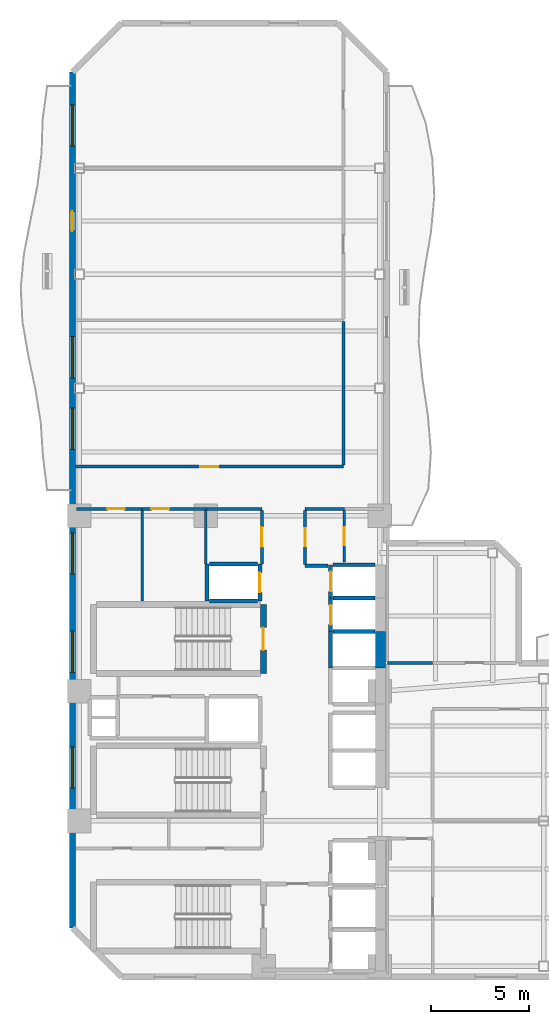
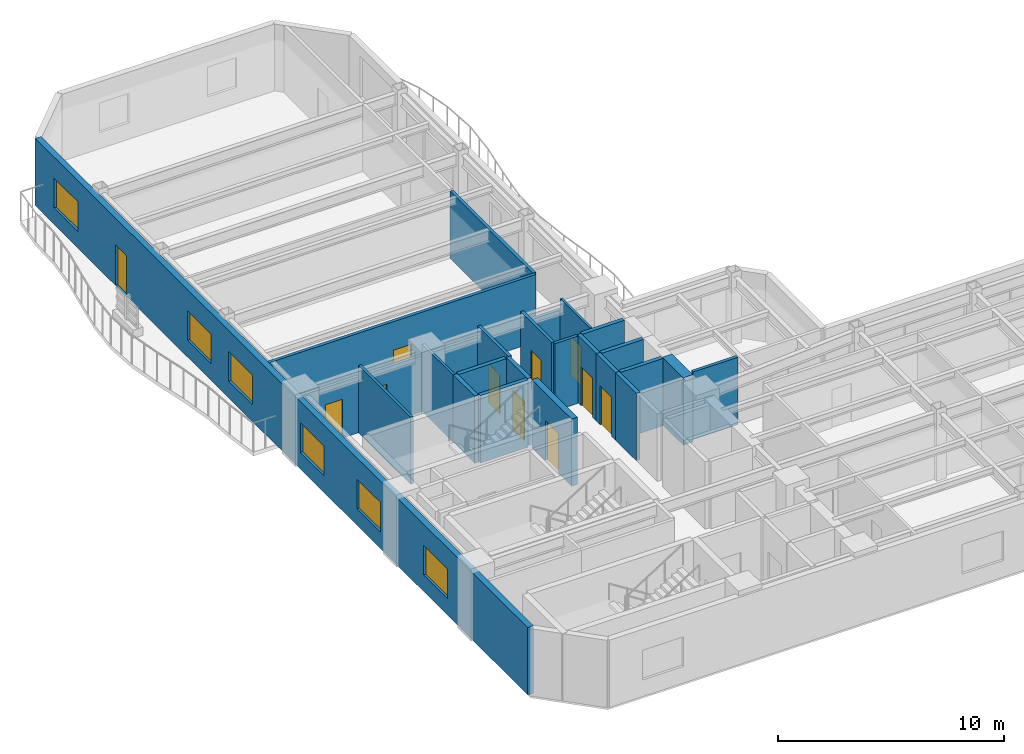
# One storey, part 4 of 9: 26 walls, 11 doors, 6 windows, 17 openings.
"""IFC4 building model written with IfcOpenShell, lengths in metres."""

import ifcopenshell
import ifcopenshell.guid

model = None  # the IFC model being written
_history = None  # IfcOwnerHistory: only IFC2X3 demands one
_inside = {}  # id of a spatial element -> (the spatial element, [elements in it])
_under = {}  # id of a project, library or spatial element -> (it, [spatial elements below it])
_declared = {}  # id of a project -> (the project, [libraries it declares])
_typed = {}  # id of a type object -> (the type object, [elements of that type])
_made_of = {}  # id of a material, layer set ... -> (it, [elements and type objects made of it])


def new_model(schema):
    """Start an empty IFC model of exactly this schema.

    Asked for "IFC4X3", IfcOpenShell would pick the latest addendum, in which some entities
    have other attributes; the version numbers below select the first issue.
    IFC2X3 requires an IfcOwnerHistory on every rooted entity: one is made here for all.
    """
    global model, _history
    if schema == "IFC4X3":
        model = ifcopenshell.file(schema_version=(4, 3, 0, 0))
    else:
        model = ifcopenshell.file(schema=schema)
    _inside.clear()
    _under.clear()
    _declared.clear()
    _typed.clear()
    _made_of.clear()
    _history = None
    if model.schema == "IFC2X3":
        org = make("IfcOrganization", Name="unknown")
        user = make(
            "IfcPersonAndOrganization",
            ThePerson=make("IfcPerson", FamilyName="unknown"),
            TheOrganization=org,
        )
        app = make(
            "IfcApplication",
            ApplicationDeveloper=org,
            Version="unknown",
            ApplicationFullName="unknown",
            ApplicationIdentifier="unknown",
        )
        _history = make(
            "IfcOwnerHistory",
            OwningUser=user,
            OwningApplication=app,
            ChangeAction="ADDED",
            CreationDate=0,
        )
    return model


def make(cls, **values):
    """One entity of the class cls with the attributes given. An attribute that is None is left unset."""
    return model.create_entity(
        cls, **{name: value for name, value in values.items() if value is not None}
    )


def rooted(cls, **values):
    """An entity with a GlobalId (a new one), such as an element, a storey or a relation."""
    return make(cls, GlobalId=ifcopenshell.guid.new(), OwnerHistory=_history, **values)


def si_unit(unit_type, name, prefix=None):
    """IfcSIUnit, for example si_unit("LENGTHUNIT", "METRE", prefix="MILLI")."""
    return make("IfcSIUnit", UnitType=unit_type, Prefix=prefix, Name=name)


def assignment(units):
    """IfcUnitAssignment: the units of a project."""
    return None if units is None else make("IfcUnitAssignment", Units=units)


def point(xyz):
    """IfcCartesianPoint."""
    return None if xyz is None else make("IfcCartesianPoint", Coordinates=xyz)


def direction(xyz):
    """IfcDirection."""
    return None if xyz is None else make("IfcDirection", DirectionRatios=xyz)


def frame(location, z_axis=None, x_axis=None):
    """IfcAxis2Placement3D, a coordinate frame: its origin and axes. An axis left out is left unset."""
    return make(
        "IfcAxis2Placement3D",
        Location=point(location),
        Axis=direction(z_axis),
        RefDirection=direction(x_axis),
    )


def frame_2d(location, x_axis=None):
    """IfcAxis2Placement2D, a coordinate frame in the plane: its origin and x axis."""
    return make(
        "IfcAxis2Placement2D", Location=point(location), RefDirection=direction(x_axis)
    )


def origin():
    """The frame at (0, 0, 0) with its axes left unset."""
    return frame((0.0, 0.0, 0.0))


def place(relative_to, where):
    """IfcLocalPlacement: puts the frame where relative to a parent placement (None: the world)."""
    return make(
        "IfcLocalPlacement", PlacementRelTo=relative_to, RelativePlacement=where
    )


def context(
    kind, dimensions, precision=None, world=None, true_north=None, identifier=None
):
    """IfcGeometricRepresentationContext, for example the 3D "Model" context."""
    return make(
        "IfcGeometricRepresentationContext",
        ContextIdentifier=identifier,
        ContextType=kind,
        CoordinateSpaceDimension=dimensions,
        Precision=precision,
        WorldCoordinateSystem=world,
        TrueNorth=true_north,
    )


def subcontext(parent, identifier, kind, view, scale=None):
    """IfcGeometricRepresentationSubContext, for example "Body" below "Model"."""
    return make(
        "IfcGeometricRepresentationSubContext",
        ContextIdentifier=identifier,
        ContextType=kind,
        ParentContext=parent,
        TargetScale=scale,
        TargetView=view,
    )


def project(units=None, contexts=None):
    """IfcProject with its units and contexts."""
    return rooted(
        "IfcProject",
        Name="project",
        RepresentationContexts=contexts,
        UnitsInContext=assignment(units),
    )


def spatial(cls, under=None, at=None, **own):
    """A site, building, storey or space (cls), placed at a placement, below another one or the project."""
    s = rooted(cls, ObjectPlacement=at, **own)
    if under is not None:
        _under.setdefault(under.id(), (under, []))[1].append(s)
    return s


def profile(cls, at=None, kind="AREA", **sizes):
    """A parametric profile (cls). Its sizes go by their IFC names, for example OverallWidth=200.0."""
    return make(cls, ProfileType=kind, Position=at, **sizes)


def rectangle(**sizes):
    """IfcRectangleProfileDef."""
    return profile("IfcRectangleProfileDef", **sizes)


def extrude(swept, where, along, depth):
    """IfcExtrudedAreaSolid: the profile swept, set in the frame where, extruded along a direction by depth."""
    return make(
        "IfcExtrudedAreaSolid",
        SweptArea=swept,
        Position=where,
        ExtrudedDirection=direction(along),
        Depth=depth,
    )


def shape(context_of_items, identifier, shape_type, items):
    """IfcShapeRepresentation: the items that make up one representation, for example the "Body"."""
    return make(
        "IfcShapeRepresentation",
        ContextOfItems=context_of_items,
        RepresentationIdentifier=identifier,
        RepresentationType=shape_type,
        Items=items,
    )


def material(Name=None, Category=None):
    """IfcMaterial."""
    return make("IfcMaterial", Name=Name, Category=Category)


def layer(
    of_material, thickness, ventilated=None, Name=None, Category=None, Priority=None
):
    """IfcMaterialLayer: one layer of a wall or slab, of a material (None: an air gap)."""
    return make(
        "IfcMaterialLayer",
        Material=of_material,
        LayerThickness=thickness,
        IsVentilated=ventilated,
        Name=Name,
        Category=Category,
        Priority=Priority,
    )


def layer_set(layers, Name=None):
    """IfcMaterialLayerSet."""
    return make("IfcMaterialLayerSet", MaterialLayers=layers, LayerSetName=Name)


def made_of(thing, what):
    """Note that an element or type object is made of a material, layer set ...; save() writes the relation."""
    if what is not None:
        _made_of.setdefault(what.id(), (what, []))[1].append(thing)
    return thing


def type_object(cls, material=None, **own):
    """A type object (cls), such as IfcWallType, which elements share."""
    return made_of(rooted(cls, **own), material)


def element(
    cls,
    number,
    at=None,
    inside=None,
    cuts=None,
    type_object=None,
    material=None,
    context=None,
    identifier="Body",
    shape_type=None,
    held_by="IfcProductDefinitionShape",
    body=None,
    shapes=None,
    **own,
):
    """One element of the class cls, such as IfcWall. Its Tag is "e" and its number.

    at: its placement. inside: the storey or other place that contains it. cuts: it is an
    opening in that element (IfcRelVoidsElement). A single representation is given by context,
    identifier, shape_type and body (its items); several are given by shapes. held_by: the class
    of the entity that holds the representations. save() writes the other relations.
    """
    e = rooted(cls, Tag="e%d" % number, ObjectPlacement=at, **own)
    if body is not None:
        shapes = [shape(context, identifier, shape_type, body)]
    if shapes is not None:
        e.Representation = make(held_by, Representations=shapes)
    if inside is not None:
        _inside.setdefault(inside.id(), (inside, []))[1].append(e)
    if cuts is not None:
        rooted(
            "IfcRelVoidsElement", RelatingBuildingElement=cuts, RelatedOpeningElement=e
        )
    if type_object is not None:
        _typed.setdefault(type_object.id(), (type_object, []))[1].append(e)
    return made_of(e, material)


def fill(opening, filler):
    """IfcRelFillsElement: the door or window that sits in an opening."""
    return rooted(
        "IfcRelFillsElement",
        RelatingOpeningElement=opening,
        RelatedBuildingElement=filler,
    )


def aggregate(whole, parts):
    """IfcRelAggregates: a whole, such as a stair, and the parts it consists of."""
    return rooted("IfcRelAggregates", RelatingObject=whole, RelatedObjects=parts)


def save(model, path):
    """Write the relations noted so far, then the file.

    IfcRelAggregates (storeys below a building ...), IfcRelContainedInSpatialStructure (elements
    in a storey), IfcRelDefinesByType, IfcRelAssociatesMaterial and IfcRelDeclares: one each for
    every whole, place, type object, material and project.
    """
    for whole, parts in _under.values():
        aggregate(whole, parts)
    for where, things in _inside.values():
        rooted(
            "IfcRelContainedInSpatialStructure",
            RelatedElements=things,
            RelatingStructure=where,
        )
    for kind, things in _typed.values():
        rooted("IfcRelDefinesByType", RelatedObjects=things, RelatingType=kind)
    for what, things in _made_of.values():
        rooted("IfcRelAssociatesMaterial", RelatedObjects=things, RelatingMaterial=what)
    for by, libraries in _declared.values():
        rooted("IfcRelDeclares", RelatingContext=by, RelatedDefinitions=libraries)
    model.write(path)


model = new_model("IFC4")

# Units and contexts
model_context = context("Model", 3, precision=1e-05, world=origin(), true_north=direction((0.0, 1.0)))
body_context = subcontext(model_context, "Body", "Model", "MODEL_VIEW")
ifc_project = project(units=[si_unit("LENGTHUNIT", "METRE"), si_unit("AREAUNIT", "SQUARE_METRE"), si_unit("VOLUMEUNIT", "CUBIC_METRE"), si_unit("PLANEANGLEUNIT", "RADIAN"), si_unit("MASSUNIT", "GRAM", prefix="KILO")], contexts=[model_context])

# Site, building, storey
site_placement = place(None, origin())
site = spatial("IfcSite", under=ifc_project, at=site_placement, CompositionType="ELEMENT")
building_placement = place(site_placement, origin())
building = spatial("IfcBuilding", under=site, at=building_placement, Name="Mawjaban Terraces University", CompositionType="ELEMENT")
storey_placement = place(building_placement, frame((0.0, 0.0, 161.89990234375)))
storey = spatial("IfcBuildingStorey", under=building, at=storey_placement, Name="L39", CompositionType="ELEMENT", Elevation=161.89990234375)

# Wall
ifc_material_1 = material(Name="Concrete C60/75", Category="concrete")
ifc_layer_1 = layer(ifc_material_1, 0.5)
ifc_layer_set_1 = layer_set([ifc_layer_1], Name="Concrete C60/75")
wall_type_1 = type_object("IfcWallType", Name="CoreShearWall_500", PredefinedType="SHEAR", material=ifc_layer_set_1)
wall_1_placement = place(storey_placement, frame((37.699951171875, 15.75, 0.0), z_axis=(0.0, 0.0, 1.0), x_axis=(0.0, 1.0, 0.0)))
element("IfcWall", 1, at=wall_1_placement, inside=storey, type_object=wall_type_1, Name="L39 Lift OL-2 Hoistway Wall East", PredefinedType="SHEAR", context=body_context, shape_type="SweptSolid", body=[
    extrude(rectangle(XDim=1.85009765625, YDim=0.5, at=frame_2d((0.925048828125, 0.0))), origin(), (0.0, 0.0, 1.0), 3.64013671875),
])

# Wall, opening, door
ifc_material_2 = material(Name="Fire-rated gypsum board on steel stud", Category="steel")
ifc_layer_2 = layer(ifc_material_2, 0.159912109375)
ifc_layer_set_2 = layer_set([ifc_layer_2], Name="Fire-rated gypsum board on steel stud")
wall_type_2 = type_object("IfcWallType", Name="CorridorPartition_160", PredefinedType="PARTITIONING", material=ifc_layer_set_2)
wall_2_placement = place(storey_placement, frame((25.550048828125, 23.85009765625, 0.0), z_axis=(0.0, 0.0, 1.0), x_axis=(-1.0, 0.0, 0.0)))
wall_2 = element("IfcWall", 2, at=wall_2_placement, inside=storey, type_object=wall_type_2, Name="L39 Female Toilet Partition 3", PredefinedType="PARTITIONING", context=body_context, shape_type="SweptSolid", body=[
    extrude(rectangle(XDim=3.35009765625, YDim=0.159912109375, at=frame_2d((1.675048828125, 0.0))), origin(), (0.0, 0.0, 1.0), 3.023193359375),
])
opening_1_placement = place(wall_2_placement, frame((0.885009765625, 0.0, 0.0)))
opening_1 = element("IfcOpeningElement", 3, at=opening_1_placement, cuts=wall_2, Name="Opening ID-088", PredefinedType="OPENING", context=body_context, shape_type="SweptSolid", body=[
    extrude(rectangle(XDim=0.8798828125, YDim=2.10009765625, at=frame_2d((0.43994140625, 1.050048828125))), frame((0.0, 0.08984375, 0.0), z_axis=(0.0, -1.0, 0.0), x_axis=(1.0, 0.0, 0.0)), (0.0, 0.0, 1.0), 0.179931640625),
])
ifc_material_3 = material(Name="Powder-coated steel frame and solid acoustic timber leaf", Category="steel")
door_type_1 = type_object("IfcDoorType", Name="ToiletDoor_880x2100", OperationType="NOTDEFINED", PredefinedType="DOOR", material=ifc_material_3)
door_1_placement = place(opening_1_placement, origin())
door_1 = element("IfcDoor", 4, at=door_1_placement, inside=storey, type_object=door_type_1, Name="L39 Female Toilet Door", OperationType="SINGLE_SWING_RIGHT", OverallHeight=2.10009765625, OverallWidth=0.8798828125, PredefinedType="DOOR", context=body_context, shape_type="SweptSolid", body=[
    extrude(rectangle(XDim=0.8798828125, YDim=2.10009765625, at=frame_2d((0.43994140625, 1.050048828125))), frame((0.0, 0.02490234375, 0.0), z_axis=(0.0, -1.0, 0.0), x_axis=(1.0, 0.0, 0.0)), (0.0, 0.0, 1.0), 0.050048828125),
])
fill(opening_1, door_1)

wall_3_placement = place(storey_placement, frame((28.800048828125, 23.85009765625, 0.0), z_axis=(0.0, 0.0, 1.0), x_axis=(-1.0, 0.0, 0.0)))
wall_3 = element("IfcWall", 5, at=wall_3_placement, inside=storey, type_object=wall_type_2, Name="L39 Staff Tea Pantry Partition 5", PredefinedType="PARTITIONING", context=body_context, shape_type="SweptSolid", body=[
    extrude(rectangle(XDim=3.25, YDim=0.159912109375, at=frame_2d((1.625, 0.0))), origin(), (0.0, 0.0, 1.0), 3.023193359375),
])
opening_2_placement = place(wall_3_placement, frame((1.875, 0.0, 0.0)))
opening_2 = element("IfcOpeningElement", 6, at=opening_2_placement, cuts=wall_3, Name="Opening ID-090", PredefinedType="OPENING", context=body_context, shape_type="SweptSolid", body=[
    extrude(rectangle(XDim=0.89990234375, YDim=2.10009765625, at=frame_2d((0.449951171875, 1.050048828125))), frame((0.0, 0.08984375, 0.0), z_axis=(0.0, -1.0, 0.0), x_axis=(1.0, 0.0, 0.0)), (0.0, 0.0, 1.0), 0.179931640625),
])
door_type_2 = type_object("IfcDoorType", Name="OfficeDoor_900x2100", OperationType="NOTDEFINED", PredefinedType="DOOR", material=ifc_material_3)
door_2_placement = place(opening_2_placement, origin())
door_2 = element("IfcDoor", 7, at=door_2_placement, inside=storey, type_object=door_type_2, Name="L39 Staff Tea Pantry Door", OperationType="SINGLE_SWING_LEFT", OverallHeight=2.10009765625, OverallWidth=0.89990234375, PredefinedType="DOOR", context=body_context, shape_type="SweptSolid", body=[
    extrude(rectangle(XDim=0.89990234375, YDim=2.10009765625, at=frame_2d((0.449951171875, 1.050048828125))), frame((0.0, 0.02490234375, 0.0), z_axis=(0.0, -1.0, 0.0), x_axis=(1.0, 0.0, 0.0)), (0.0, 0.0, 1.0), 0.050048828125),
])
fill(opening_2, door_2)

# Walls
wall_4_placement = place(storey_placement, frame((31.64990234375, 23.85009765625, 0.0), z_axis=(0.0, 0.0, 1.0), x_axis=(-1.0, 0.0, 0.0)))
element("IfcWall", 8, at=wall_4_placement, inside=storey, type_object=wall_type_2, Name="L39 Academic Tutorial Alcove Partition 8", PredefinedType="PARTITIONING", context=body_context, shape_type="SweptSolid", body=[
    extrude(rectangle(XDim=2.849853515625, YDim=0.159912109375, at=frame_2d((1.4248046875, 0.0))), origin(), (0.0, 0.0, 1.0), 3.023193359375),
])
wall_5_placement = place(storey_placement, frame((35.02001953125, 20.949951171875, 0.0), z_axis=(0.0, 0.0, 1.0), x_axis=(-1.0, 0.0, 0.0)))
element("IfcWall", 9, at=wall_5_placement, inside=storey, type_object=wall_type_2, Name="L39 Passenger Lift Lobby Partition 10", PredefinedType="PARTITIONING", context=body_context, shape_type="SweptSolid", body=[
    extrude(rectangle(XDim=1.169921875, YDim=0.159912109375, at=frame_2d((0.5849609375, 0.0))), origin(), (0.0, 0.0, 1.0), 3.64013671875),
])

# Wall, opening, door
wall_6_placement = place(storey_placement, frame((35.800048828125, 26.0, 0.0), z_axis=(0.0, 0.0, 1.0), x_axis=(-1.0, 0.0, 0.0)))
wall_6 = element("IfcWall", 10, at=wall_6_placement, inside=storey, type_object=wall_type_2, Name="L39 North Core Cross-Corridor Partition 11", PredefinedType="PARTITIONING", context=body_context, shape_type="SweptSolid", body=[
    extrude(rectangle(XDim=13.655029296875, YDim=0.159912109375, at=frame_2d((6.82763671875, 0.0))), origin(), (0.0, 0.0, 1.0), 3.64013671875),
])
opening_3_placement = place(wall_6_placement, frame((6.376953125, 0.0, 0.0)))
opening_3 = element("IfcOpeningElement", 11, at=opening_3_placement, cuts=wall_6, Name="Opening ID-090", PredefinedType="OPENING", context=body_context, shape_type="SweptSolid", body=[
    extrude(rectangle(XDim=0.89990234375, YDim=2.10009765625, at=frame_2d((0.449951171875, 1.050048828125))), frame((0.0, 0.08984375, 0.0), z_axis=(0.0, -1.0, 0.0), x_axis=(1.0, 0.0, 0.0)), (0.0, 0.0, 1.0), 0.179931640625),
])
door_3_placement = place(opening_3_placement, origin())
door_3 = element("IfcDoor", 12, at=door_3_placement, inside=storey, type_object=door_type_2, Name="L39 Student Tea Pantry 10 Door", OperationType="SINGLE_SWING_LEFT", OverallHeight=2.10009765625, OverallWidth=0.89990234375, PredefinedType="DOOR", context=body_context, shape_type="SweptSolid", body=[
    extrude(rectangle(XDim=0.89990234375, YDim=2.10009765625, at=frame_2d((0.449951171875, 1.050048828125))), frame((0.0, 0.02490234375, 0.0), z_axis=(0.0, -1.0, 0.0), x_axis=(1.0, 0.0, 0.0)), (0.0, 0.0, 1.0), 0.050048828125),
])
fill(opening_3, door_3)

# Walls
wall_7_placement = place(storey_placement, frame((35.85009765625, 23.85009765625, 0.0), z_axis=(0.0, 0.0, 1.0), x_axis=(-1.0, 0.0, 0.0)))
element("IfcWall", 13, at=wall_7_placement, inside=storey, type_object=wall_type_2, Name="L39 Departmental Resource Seminar Room Partition 14", PredefinedType="PARTITIONING", context=body_context, shape_type="SweptSolid", body=[
    extrude(rectangle(XDim=2.0, YDim=0.159912109375, at=frame_2d((1.0, 0.0))), origin(), (0.0, 0.0, 1.0), 3.023193359375),
])
wall_8_placement = place(storey_placement, frame((40.35009765625, 16.0, 0.0), z_axis=(0.0, 0.0, 1.0), x_axis=(-1.0, 0.0, 0.0)))
element("IfcWall", 14, at=wall_8_placement, inside=storey, type_object=wall_type_2, Name="L39 Inner Gallery Link Corridor Partition 18", PredefinedType="PARTITIONING", context=body_context, shape_type="SweptSolid", body=[
    extrude(rectangle(XDim=2.300048828125, YDim=0.159912109375, at=frame_2d((1.14990234375, 0.0))), origin(), (0.0, 0.0, 1.0), 3.64013671875),
])

# Wall, opening, door
wall_9_placement = place(storey_placement, frame((31.64990234375, 23.77490234375, 0.0), z_axis=(0.0, 0.0, 1.0), x_axis=(0.0, -1.0, 0.0)))
wall_9 = element("IfcWall", 15, at=wall_9_placement, inside=storey, type_object=wall_type_2, Name="L39 Core North Lift Lobby Partition 32", PredefinedType="PARTITIONING", context=body_context, shape_type="SweptSolid", body=[
    extrude(rectangle(XDim=2.724853515625, YDim=0.159912109375, at=frame_2d((1.3623046875, 0.0))), origin(), (0.0, 0.0, 1.0), 3.64013671875),
])
opening_4_placement = place(wall_9_placement, frame((0.862060546875, 0.0, 0.0)))
opening_4 = element("IfcOpeningElement", 16, at=opening_4_placement, cuts=wall_9, Name="Opening ID-100", PredefinedType="OPENING", context=body_context, shape_type="SweptSolid", body=[
    extrude(rectangle(XDim=1.0, YDim=2.10009765625, at=frame_2d((0.5, 1.050048828125))), frame((0.0, 0.08984375, 0.0), z_axis=(0.0, -1.0, 0.0), x_axis=(1.0, 0.0, 0.0)), (0.0, 0.0, 1.0), 0.179931640625),
])
door_type_3 = type_object("IfcDoorType", Name="ClassroomDoor_1000x2100", OperationType="NOTDEFINED", PredefinedType="DOOR", material=ifc_material_3)
door_4_placement = place(opening_4_placement, origin())
door_4 = element("IfcDoor", 17, at=door_4_placement, inside=storey, type_object=door_type_3, Name="L39 Academic Tutorial Alcove Door", OperationType="SINGLE_SWING_RIGHT", OverallHeight=2.10009765625, OverallWidth=1.0, PredefinedType="DOOR", context=body_context, shape_type="SweptSolid", body=[
    extrude(rectangle(XDim=1.0, YDim=2.10009765625, at=frame_2d((0.5, 1.050048828125))), frame((0.0, 0.02490234375, 0.0), z_axis=(0.0, -1.0, 0.0), x_axis=(1.0, 0.0, 0.0)), (0.0, 0.0, 1.0), 0.050048828125),
])
fill(opening_4, door_4)

wall_10_placement = place(storey_placement, frame((33.85009765625, 21.02490234375, 0.0), z_axis=(0.0, 0.0, 1.0), x_axis=(0.0, 1.0, 0.0)))
wall_10 = element("IfcWall", 18, at=wall_10_placement, inside=storey, type_object=wall_type_2, Name="L39 Core North Lift Lobby Partition 33", PredefinedType="PARTITIONING", context=body_context, shape_type="SweptSolid", body=[
    extrude(rectangle(XDim=2.75, YDim=0.159912109375, at=frame_2d((1.375, 0.0))), origin(), (0.0, 0.0, 1.0), 3.64013671875),
])
opening_5_placement = place(wall_10_placement, frame((0.925048828125, 0.0, 0.0)))
opening_5 = element("IfcOpeningElement", 19, at=opening_5_placement, cuts=wall_10, Name="Opening ID-090", PredefinedType="OPENING", context=body_context, shape_type="SweptSolid", body=[
    extrude(rectangle(XDim=0.89990234375, YDim=2.10009765625, at=frame_2d((0.449951171875, 1.050048828125))), frame((0.0, 0.08984375, 0.0), z_axis=(0.0, -1.0, 0.0), x_axis=(1.0, 0.0, 0.0)), (0.0, 0.0, 1.0), 0.179931640625),
])
door_5_placement = place(opening_5_placement, origin())
door_5 = element("IfcDoor", 20, at=door_5_placement, inside=storey, type_object=door_type_2, Name="L39 Departmental Resource Seminar Room Door", OperationType="SINGLE_SWING_RIGHT", OverallHeight=2.10009765625, OverallWidth=0.89990234375, PredefinedType="DOOR", context=body_context, shape_type="SweptSolid", body=[
    extrude(rectangle(XDim=0.89990234375, YDim=2.10009765625, at=frame_2d((0.449951171875, 1.050048828125))), frame((0.0, 0.02490234375, 0.0), z_axis=(0.0, -1.0, 0.0), x_axis=(1.0, 0.0, 0.0)), (0.0, 0.0, 1.0), 0.050048828125),
])
fill(opening_5, door_5)

# Wall
wall_11_placement = place(storey_placement, frame((35.800048828125, 33.403076171875, 0.0), z_axis=(0.0, 0.0, 1.0), x_axis=(0.0, -1.0, 0.0)))
element("IfcWall", 21, at=wall_11_placement, inside=storey, type_object=wall_type_2, Name="L39 Inner Terrace Gallery Corridor North Partition 34", PredefinedType="PARTITIONING", context=body_context, shape_type="SweptSolid", body=[
    extrude(rectangle(XDim=7.328125, YDim=0.159912109375, at=frame_2d((3.6640625, 0.0))), origin(), (0.0, 0.0, 1.0), 3.64013671875),
])

# Wall, openings, door, windows
ifc_material_4 = material(Name="Insulated terracotta rainscreen on concrete backup C40/50", Category="masonry")
ifc_layer_3 = layer(ifc_material_4, 0.300048828125)
ifc_layer_set_3 = layer_set([ifc_layer_3], Name="Insulated terracotta rainscreen on concrete backup C40/50")
wall_type_3 = type_object("IfcWallType", Name="ExtTerracottaWall_300", PredefinedType="SOLIDWALL", material=ifc_layer_set_3)
wall_12_placement = place(storey_placement, frame((22.0, 46.10009765625, 0.0), z_axis=(0.0, 0.0, 1.0), x_axis=(0.0, -1.0, 0.0)))
wall_12 = element("IfcWall", 22, at=wall_12_placement, inside=storey, type_object=wall_type_3, Name="L39 Exterior Terracotta Wall 13", PredefinedType="SOLIDWALL", context=body_context, shape_type="SweptSolid", body=[
    extrude(rectangle(XDim=43.60009765625, YDim=0.300048828125, at=frame_2d((21.800048828125, 0.0))), origin(), (0.0, 0.0, 1.0), 3.64013671875),
])
opening_6_placement = place(wall_12_placement, frame((7.10009765625, 0.0, 0.0)))
opening_6 = element("IfcOpeningElement", 23, at=opening_6_placement, cuts=wall_12, Name="Opening BD-100", PredefinedType="OPENING", context=body_context, shape_type="SweptSolid", body=[
    extrude(rectangle(XDim=1.0, YDim=2.199951171875, at=frame_2d((0.5, 1.10009765625))), frame((0.0, 0.159912109375, 0.0), z_axis=(0.0, -1.0, 0.0), x_axis=(1.0, 0.0, 0.0)), (0.0, 0.0, 1.0), 0.320068359375),
])
opening_7_placement = place(wall_12_placement, frame((1.675048828125, 0.0, 0.89990234375)))
opening_7 = element("IfcOpeningElement", 24, at=opening_7_placement, cuts=wall_12, Name="Opening W-04", PredefinedType="OPENING", context=body_context, shape_type="SweptSolid", body=[
    extrude(rectangle(XDim=2.10009765625, YDim=1.60009765625, at=frame_2d((1.050048828125, 0.800048828125))), frame((0.0, 0.159912109375, 0.0), z_axis=(0.0, -1.0, 0.0), x_axis=(1.0, 0.0, 0.0)), (0.0, 0.0, 1.0), 0.320068359375),
])
opening_8_placement = place(wall_12_placement, frame((13.47509765625, 0.0, 0.89990234375)))
opening_8 = element("IfcOpeningElement", 25, at=opening_8_placement, cuts=wall_12, Name="Opening W-04", PredefinedType="OPENING", context=body_context, shape_type="SweptSolid", body=[
    extrude(rectangle(XDim=2.10009765625, YDim=1.60009765625, at=frame_2d((1.050048828125, 0.800048828125))), frame((0.0, 0.159912109375, 0.0), z_axis=(0.0, -1.0, 0.0), x_axis=(1.0, 0.0, 0.0)), (0.0, 0.0, 1.0), 0.320068359375),
])
opening_9_placement = place(wall_12_placement, frame((17.125, 0.0, 0.89990234375)))
opening_9 = element("IfcOpeningElement", 26, at=opening_9_placement, cuts=wall_12, Name="Opening W-04", PredefinedType="OPENING", context=body_context, shape_type="SweptSolid", body=[
    extrude(rectangle(XDim=2.10009765625, YDim=1.60009765625, at=frame_2d((1.050048828125, 0.800048828125))), frame((0.0, 0.159912109375, 0.0), z_axis=(0.0, -1.0, 0.0), x_axis=(1.0, 0.0, 0.0)), (0.0, 0.0, 1.0), 0.320068359375),
])
opening_10_placement = place(wall_12_placement, frame((23.47509765625, 0.0, 0.89990234375)))
opening_10 = element("IfcOpeningElement", 27, at=opening_10_placement, cuts=wall_12, Name="Opening W-04", PredefinedType="OPENING", context=body_context, shape_type="SweptSolid", body=[
    extrude(rectangle(XDim=2.10009765625, YDim=1.60009765625, at=frame_2d((1.050048828125, 0.800048828125))), frame((0.0, 0.159912109375, 0.0), z_axis=(0.0, -1.0, 0.0), x_axis=(1.0, 0.0, 0.0)), (0.0, 0.0, 1.0), 0.320068359375),
])
opening_11_placement = place(wall_12_placement, frame((28.47509765625, 0.0, 0.89990234375)))
opening_11 = element("IfcOpeningElement", 28, at=opening_11_placement, cuts=wall_12, Name="Opening W-04", PredefinedType="OPENING", context=body_context, shape_type="SweptSolid", body=[
    extrude(rectangle(XDim=2.10009765625, YDim=1.60009765625, at=frame_2d((1.050048828125, 0.800048828125))), frame((0.0, 0.159912109375, 0.0), z_axis=(0.0, -1.0, 0.0), x_axis=(1.0, 0.0, 0.0)), (0.0, 0.0, 1.0), 0.320068359375),
])
opening_12_placement = place(wall_12_placement, frame((34.375, 0.0, 0.89990234375)))
opening_12 = element("IfcOpeningElement", 29, at=opening_12_placement, cuts=wall_12, Name="Opening W-04", PredefinedType="OPENING", context=body_context, shape_type="SweptSolid", body=[
    extrude(rectangle(XDim=2.10009765625, YDim=1.60009765625, at=frame_2d((1.050048828125, 0.800048828125))), frame((0.0, 0.159912109375, 0.0), z_axis=(0.0, -1.0, 0.0), x_axis=(1.0, 0.0, 0.0)), (0.0, 0.0, 1.0), 0.320068359375),
])
ifc_material_5 = material(Name="Thermally broken anodised aluminium and laminated safety glass", Category="aluminium")
door_type_4 = type_object("IfcDoorType", Name="BalconyGlazedDoor_1000x2200", OperationType="NOTDEFINED", PredefinedType="DOOR", material=ifc_material_5)
door_6_placement = place(opening_6_placement, origin())
door_6 = element("IfcDoor", 30, at=door_6_placement, inside=storey, type_object=door_type_4, Name="L39 Balcony Access Door west", OperationType="SINGLE_SWING_RIGHT", OverallHeight=2.199951171875, OverallWidth=1.0, PredefinedType="DOOR", context=body_context, shape_type="SweptSolid", body=[
    extrude(rectangle(XDim=1.0, YDim=2.199951171875, at=frame_2d((0.5, 1.10009765625))), frame((0.0, 0.02490234375, 0.0), z_axis=(0.0, -1.0, 0.0), x_axis=(1.0, 0.0, 0.0)), (0.0, 0.0, 1.0), 0.050048828125),
])
fill(opening_6, door_6)
ifc_material_6 = material(Name="Low-E solar-control double glazing in thermally broken aluminium frame", Category="aluminium")
window_type = type_object("IfcWindowType", Name="Win_2100x1600", PartitioningType="SINGLE_PANEL", PredefinedType="WINDOW", material=ifc_material_6)
window_1_placement = place(opening_7_placement, origin())
window_1 = element("IfcWindow", 31, at=window_1_placement, inside=storey, type_object=window_type, Name="L39 Facade Window 13.1", OverallHeight=1.60009765625, OverallWidth=2.10009765625, PartitioningType="SINGLE_PANEL", PredefinedType="WINDOW", context=body_context, shape_type="SweptSolid", body=[
    extrude(rectangle(XDim=2.10009765625, YDim=1.60009765625, at=frame_2d((1.050048828125, 0.800048828125))), frame((0.0, 0.030029296875, 0.0), z_axis=(0.0, -1.0, 0.0), x_axis=(1.0, 0.0, 0.0)), (0.0, 0.0, 1.0), 0.06005859375),
])
fill(opening_7, window_1)
window_2_placement = place(opening_8_placement, origin())
window_2 = element("IfcWindow", 32, at=window_2_placement, inside=storey, type_object=window_type, Name="L39 Facade Window 13.3", OverallHeight=1.60009765625, OverallWidth=2.10009765625, PartitioningType="SINGLE_PANEL", PredefinedType="WINDOW", context=body_context, shape_type="SweptSolid", body=[
    extrude(rectangle(XDim=2.10009765625, YDim=1.60009765625, at=frame_2d((1.050048828125, 0.800048828125))), frame((0.0, 0.030029296875, 0.0), z_axis=(0.0, -1.0, 0.0), x_axis=(1.0, 0.0, 0.0)), (0.0, 0.0, 1.0), 0.06005859375),
])
fill(opening_8, window_2)
window_3_placement = place(opening_9_placement, origin())
window_3 = element("IfcWindow", 33, at=window_3_placement, inside=storey, type_object=window_type, Name="L39 Facade Window 13.4", OverallHeight=1.60009765625, OverallWidth=2.10009765625, PartitioningType="SINGLE_PANEL", PredefinedType="WINDOW", context=body_context, shape_type="SweptSolid", body=[
    extrude(rectangle(XDim=2.10009765625, YDim=1.60009765625, at=frame_2d((1.050048828125, 0.800048828125))), frame((0.0, 0.030029296875, 0.0), z_axis=(0.0, -1.0, 0.0), x_axis=(1.0, 0.0, 0.0)), (0.0, 0.0, 1.0), 0.06005859375),
])
fill(opening_9, window_3)
window_4_placement = place(opening_10_placement, origin())
window_4 = element("IfcWindow", 34, at=window_4_placement, inside=storey, type_object=window_type, Name="L39 Facade Window 13.5", OverallHeight=1.60009765625, OverallWidth=2.10009765625, PartitioningType="SINGLE_PANEL", PredefinedType="WINDOW", context=body_context, shape_type="SweptSolid", body=[
    extrude(rectangle(XDim=2.10009765625, YDim=1.60009765625, at=frame_2d((1.050048828125, 0.800048828125))), frame((0.0, 0.030029296875, 0.0), z_axis=(0.0, -1.0, 0.0), x_axis=(1.0, 0.0, 0.0)), (0.0, 0.0, 1.0), 0.06005859375),
])
fill(opening_10, window_4)
window_5_placement = place(opening_11_placement, origin())
window_5 = element("IfcWindow", 35, at=window_5_placement, inside=storey, type_object=window_type, Name="L39 Facade Window 13.6", OverallHeight=1.60009765625, OverallWidth=2.10009765625, PartitioningType="SINGLE_PANEL", PredefinedType="WINDOW", context=body_context, shape_type="SweptSolid", body=[
    extrude(rectangle(XDim=2.10009765625, YDim=1.60009765625, at=frame_2d((1.050048828125, 0.800048828125))), frame((0.0, 0.030029296875, 0.0), z_axis=(0.0, -1.0, 0.0), x_axis=(1.0, 0.0, 0.0)), (0.0, 0.0, 1.0), 0.06005859375),
])
fill(opening_11, window_5)
window_6_placement = place(opening_12_placement, origin())
window_6 = element("IfcWindow", 36, at=window_6_placement, inside=storey, type_object=window_type, Name="L39 Facade Window 13.7", OverallHeight=1.60009765625, OverallWidth=2.10009765625, PartitioningType="SINGLE_PANEL", PredefinedType="WINDOW", context=body_context, shape_type="SweptSolid", body=[
    extrude(rectangle(XDim=2.10009765625, YDim=1.60009765625, at=frame_2d((1.050048828125, 0.800048828125))), frame((0.0, 0.030029296875, 0.0), z_axis=(0.0, -1.0, 0.0), x_axis=(1.0, 0.0, 0.0)), (0.0, 0.0, 1.0), 0.06005859375),
])
fill(opening_12, window_6)

# Walls
ifc_material_7 = material(Name="Concrete C40/50", Category="concrete")
ifc_layer_4 = layer(ifc_material_7, 0.199951171875)
ifc_layer_set_4 = layer_set([ifc_layer_4], Name="Concrete C40/50")
wall_type_4 = type_object("IfcWallType", Name="FireLobbyWall_200", PredefinedType="SOLIDWALL", material=ifc_layer_set_4)
wall_13_placement = place(storey_placement, frame((35.14990234375, 17.60009765625, 0.0), z_axis=(0.0, 0.0, 1.0), x_axis=(0.0, -1.0, 0.0)))
element("IfcWall", 37, at=wall_13_placement, inside=storey, type_object=wall_type_4, Name="L39 Lift OL-2 Hoistway Wall West", PredefinedType="SOLIDWALL", context=body_context, shape_type="SweptSolid", body=[
    extrude(rectangle(XDim=1.85009765625, YDim=0.199951171875, at=frame_2d((0.925048828125, 0.0))), origin(), (0.0, 0.0, 1.0), 3.64013671875),
])
wall_14_placement = place(storey_placement, frame((37.419921875, 17.60009765625, 0.0), z_axis=(0.0, 0.0, 1.0), x_axis=(-1.0, 0.0, 0.0)))
element("IfcWall", 38, at=wall_14_placement, inside=storey, type_object=wall_type_4, Name="L39 Lift OL-2 Hoistway Wall North", PredefinedType="SOLIDWALL", context=body_context, shape_type="SweptSolid", body=[
    extrude(rectangle(XDim=2.139892578125, YDim=0.199951171875, at=frame_2d((1.06982421875, 0.0))), origin(), (0.0, 0.0, 1.0), 3.64013671875),
])

# Wall, opening, door
wall_15_placement = place(storey_placement, frame((35.14990234375, 19.300048828125, 0.0), z_axis=(0.0, 0.0, 1.0), x_axis=(0.0, -1.0, 0.0)))
wall_15 = element("IfcWall", 39, at=wall_15_placement, inside=storey, type_object=wall_type_4, Name="L39 Lift PL-M1 Hoistway Wall West", PredefinedType="SOLIDWALL", context=body_context, shape_type="SweptSolid", body=[
    extrude(rectangle(XDim=1.699951171875, YDim=0.199951171875, at=frame_2d((0.85009765625, 0.0))), origin(), (0.0, 0.0, 1.0), 3.64013671875),
])
opening_13_placement = place(wall_15_placement, frame((0.35009765625, 0.0, 0.0)))
opening_13 = element("IfcOpeningElement", 40, at=opening_13_placement, cuts=wall_15, Name="Opening LD-PL-M1", PredefinedType="OPENING", context=body_context, shape_type="SweptSolid", body=[
    extrude(rectangle(XDim=1.0, YDim=2.10009765625, at=frame_2d((0.5, 1.050048828125))), frame((0.0, 0.10986328125, 0.0), z_axis=(0.0, -1.0, 0.0), x_axis=(1.0, 0.0, 0.0)), (0.0, 0.0, 1.0), 0.219970703125),
])
ifc_material_8 = material(Name="Powder-coated steel frame and fire-rated steel-faced leaf", Category="steel")
door_type_5 = type_object("IfcDoorType", Name="LiftLandingSliding_1000x2100", OperationType="NOTDEFINED", PredefinedType="DOOR", material=ifc_material_8)
door_7_placement = place(opening_13_placement, origin())
door_7 = element("IfcDoor", 41, at=door_7_placement, inside=storey, type_object=door_type_5, Name="L39 Lift PL-M1 Sliding Landing Door", OperationType="DOUBLE_DOOR_SLIDING", OverallHeight=2.10009765625, OverallWidth=1.0, PredefinedType="DOOR", context=body_context, shape_type="SweptSolid", body=[
    extrude(rectangle(XDim=1.0, YDim=2.10009765625, at=frame_2d((0.5, 1.050048828125))), frame((0.0, 0.02490234375, 0.0), z_axis=(0.0, -1.0, 0.0), x_axis=(1.0, 0.0, 0.0)), (0.0, 0.0, 1.0), 0.050048828125),
])
fill(opening_13, door_7)

# Wall
wall_16_placement = place(storey_placement, frame((37.419921875, 19.300048828125, 0.0), z_axis=(0.0, 0.0, 1.0), x_axis=(-1.0, 0.0, 0.0)))
element("IfcWall", 42, at=wall_16_placement, inside=storey, type_object=wall_type_4, Name="L39 Lift PL-M1 Hoistway Wall North", PredefinedType="SOLIDWALL", context=body_context, shape_type="SweptSolid", body=[
    extrude(rectangle(XDim=2.139892578125, YDim=0.199951171875, at=frame_2d((1.06982421875, 0.0))), origin(), (0.0, 0.0, 1.0), 3.64013671875),
])

# Wall, opening, door
wall_17_placement = place(storey_placement, frame((35.14990234375, 21.0, 0.0), z_axis=(0.0, 0.0, 1.0), x_axis=(0.0, -1.0, 0.0)))
wall_17 = element("IfcWall", 43, at=wall_17_placement, inside=storey, type_object=wall_type_4, Name="L39 Lift PL-M2 Hoistway Wall West", PredefinedType="SOLIDWALL", context=body_context, shape_type="SweptSolid", body=[
    extrude(rectangle(XDim=1.699951171875, YDim=0.199951171875, at=frame_2d((0.85009765625, 0.0))), origin(), (0.0, 0.0, 1.0), 3.64013671875),
])
opening_14_placement = place(wall_17_placement, frame((0.35009765625, 0.0, 0.0)))
opening_14 = element("IfcOpeningElement", 44, at=opening_14_placement, cuts=wall_17, Name="Opening LD-PL-M2", PredefinedType="OPENING", context=body_context, shape_type="SweptSolid", body=[
    extrude(rectangle(XDim=1.0, YDim=2.10009765625, at=frame_2d((0.5, 1.050048828125))), frame((0.0, 0.10986328125, 0.0), z_axis=(0.0, -1.0, 0.0), x_axis=(1.0, 0.0, 0.0)), (0.0, 0.0, 1.0), 0.219970703125),
])
door_8_placement = place(opening_14_placement, origin())
door_8 = element("IfcDoor", 45, at=door_8_placement, inside=storey, type_object=door_type_5, Name="L39 Lift PL-M2 Sliding Landing Door", OperationType="DOUBLE_DOOR_SLIDING", OverallHeight=2.10009765625, OverallWidth=1.0, PredefinedType="DOOR", context=body_context, shape_type="SweptSolid", body=[
    extrude(rectangle(XDim=1.0, YDim=2.10009765625, at=frame_2d((0.5, 1.050048828125))), frame((0.0, 0.02490234375, 0.0), z_axis=(0.0, -1.0, 0.0), x_axis=(1.0, 0.0, 0.0)), (0.0, 0.0, 1.0), 0.050048828125),
])
fill(opening_14, door_8)

# Walls
wall_18_placement = place(storey_placement, frame((37.419921875, 21.0, 0.0), z_axis=(0.0, 0.0, 1.0), x_axis=(-1.0, 0.0, 0.0)))
element("IfcWall", 46, at=wall_18_placement, inside=storey, type_object=wall_type_4, Name="L39 Lift PL-M2 Hoistway Wall North", PredefinedType="SOLIDWALL", context=body_context, shape_type="SweptSolid", body=[
    extrude(rectangle(XDim=2.139892578125, YDim=0.199951171875, at=frame_2d((1.06982421875, 0.0))), origin(), (0.0, 0.0, 1.0), 3.64013671875),
])
wall_19_placement = place(storey_placement, frame((28.85009765625, 21.050048828125, 0.0), z_axis=(0.0, 0.0, 1.0), x_axis=(0.0, -1.0, 0.0)))
element("IfcWall", 47, at=wall_19_placement, inside=storey, type_object=wall_type_4, Name="L39 Lift PL-M3 Hoistway Wall West", PredefinedType="SOLIDWALL", context=body_context, shape_type="SweptSolid", body=[
    extrude(rectangle(XDim=1.900146484375, YDim=0.199951171875, at=frame_2d((0.9501953125, 0.0))), origin(), (0.0, 0.0, 1.0), 3.64013671875),
])

# Wall, opening, door
wall_20_placement = place(storey_placement, frame((31.550048828125, 19.14990234375, 0.0), z_axis=(0.0, 0.0, 1.0), x_axis=(0.0, 1.0, 0.0)))
wall_20 = element("IfcWall", 48, at=wall_20_placement, inside=storey, type_object=wall_type_4, Name="L39 Lift PL-M3 Hoistway Wall East", PredefinedType="SOLIDWALL", context=body_context, shape_type="SweptSolid", body=[
    extrude(rectangle(XDim=1.900146484375, YDim=0.199951171875, at=frame_2d((0.9501953125, 0.0))), origin(), (0.0, 0.0, 1.0), 3.64013671875),
])
opening_15_placement = place(wall_20_placement, frame((0.449951171875, 0.0, 0.0)))
opening_15 = element("IfcOpeningElement", 49, at=opening_15_placement, cuts=wall_20, Name="Opening LD-PL-M3", PredefinedType="OPENING", context=body_context, shape_type="SweptSolid", body=[
    extrude(rectangle(XDim=1.0, YDim=2.10009765625, at=frame_2d((0.5, 1.050048828125))), frame((0.0, 0.10986328125, 0.0), z_axis=(0.0, -1.0, 0.0), x_axis=(1.0, 0.0, 0.0)), (0.0, 0.0, 1.0), 0.219970703125),
])
door_9_placement = place(opening_15_placement, origin())
door_9 = element("IfcDoor", 50, at=door_9_placement, inside=storey, type_object=door_type_5, Name="L39 Lift PL-M3 Sliding Landing Door", OperationType="DOUBLE_DOOR_SLIDING", OverallHeight=2.10009765625, OverallWidth=1.0, PredefinedType="DOOR", context=body_context, shape_type="SweptSolid", body=[
    extrude(rectangle(XDim=1.0, YDim=2.10009765625, at=frame_2d((0.5, 1.050048828125))), frame((0.0, 0.02490234375, 0.0), z_axis=(0.0, -1.0, 0.0), x_axis=(1.0, 0.0, 0.0)), (0.0, 0.0, 1.0), 0.050048828125),
])
fill(opening_15, door_9)

# Walls
for number, where, z_axis, x_axis, name in (
    (51, (28.97998046875, 19.14990234375, 0.0), (0.0, 0.0, 1.0), (1.0, 0.0, 0.0), "L39 Lift PL-M3 Hoistway Wall South"),
    (52, (31.419921875, 21.050048828125, 0.0), (0.0, 0.0, 1.0), (-1.0, 0.0, 0.0), "L39 Lift PL-M3 Hoistway Wall North"),
):
    element("IfcWall", number, at=place(storey_placement, frame(where, z_axis=z_axis, x_axis=x_axis)), inside=storey, type_object=wall_type_4, Name=name, PredefinedType="SOLIDWALL", context=body_context, shape_type="SweptSolid", body=[
        extrude(rectangle(XDim=2.43994140625, YDim=0.199951171875, at=frame_2d((1.219970703125, 0.0))), origin(), (0.0, 0.0, 1.0), 3.64013671875),
    ])
ifc_material_9 = material(Name="Gypsum plasterboard on steel stud", Category="steel")
ifc_layer_5 = layer(ifc_material_9, 0.125)
ifc_layer_set_5 = layer_set([ifc_layer_5], Name="Gypsum plasterboard on steel stud")
wall_type_5 = type_object("IfcWallType", Name="OfficePartition_125", PredefinedType="PARTITIONING", material=ifc_layer_set_5)
wall_21_placement = place(storey_placement, frame((28.800048828125, 23.77490234375, 0.0), z_axis=(0.0, 0.0, 1.0), x_axis=(0.0, -1.0, 0.0)))
element("IfcWall", 53, at=wall_21_placement, inside=storey, type_object=wall_type_5, Name="L39 Academic Tutorial Alcove Partition 30", PredefinedType="PARTITIONING", context=body_context, shape_type="SweptSolid", body=[
    extrude(rectangle(XDim=2.724853515625, YDim=0.125, at=frame_2d((1.3623046875, 0.0))), origin(), (0.0, 0.0, 1.0), 3.64013671875),
])

# Wall, opening, door
wall_22_placement = place(storey_placement, frame((35.85009765625, 21.1298828125, 0.0), z_axis=(0.0, 0.0, 1.0), x_axis=(0.0, 1.0, 0.0)))
wall_22 = element("IfcWall", 54, at=wall_22_placement, inside=storey, type_object=wall_type_5, Name="L39 Departmental Resource Seminar Room Partition 37", PredefinedType="PARTITIONING", context=body_context, shape_type="SweptSolid", body=[
    extrude(rectangle(XDim=2.64501953125, YDim=0.125, at=frame_2d((1.322509765625, 0.0))), origin(), (0.0, 0.0, 1.0), 3.64013671875),
])
opening_16_placement = place(wall_22_placement, frame((0.8720703125, 0.0, 0.0)))
opening_16 = element("IfcOpeningElement", 55, at=opening_16_placement, cuts=wall_22, Name="Opening ID-090", PredefinedType="OPENING", context=body_context, shape_type="SweptSolid", body=[
    extrude(rectangle(XDim=0.89990234375, YDim=2.10009765625, at=frame_2d((0.449951171875, 1.050048828125))), frame((0.0, 0.072509765625, 0.0), z_axis=(0.0, -1.0, 0.0), x_axis=(1.0, 0.0, 0.0)), (0.0, 0.0, 1.0), 0.14501953125),
])
door_10_placement = place(opening_16_placement, origin())
door_10 = element("IfcDoor", 56, at=door_10_placement, inside=storey, type_object=door_type_2, Name="L39 Faculty Archive Closet Door", OperationType="SINGLE_SWING_LEFT", OverallHeight=2.10009765625, OverallWidth=0.89990234375, PredefinedType="DOOR", context=body_context, shape_type="SweptSolid", body=[
    extrude(rectangle(XDim=0.89990234375, YDim=2.10009765625, at=frame_2d((0.449951171875, 1.050048828125))), frame((0.0, 0.02490234375, 0.0), z_axis=(0.0, -1.0, 0.0), x_axis=(1.0, 0.0, 0.0)), (0.0, 0.0, 1.0), 0.050048828125),
])
fill(opening_16, door_10)

ifc_layer_6 = layer(ifc_material_1, 0.300048828125)
ifc_layer_set_6 = layer_set([ifc_layer_6], Name="Concrete C60/75")
wall_type_6 = type_object("IfcWallType", Name="StairShaftWall_300", PredefinedType="SHEAR", material=ifc_layer_set_6)
wall_23_placement = place(storey_placement, frame((31.72998046875, 15.469970703125, 0.0), z_axis=(0.0, 0.0, 1.0), x_axis=(0.0, 1.0, 0.0)))
wall_23 = element("IfcWall", 57, at=wall_23_placement, inside=storey, type_object=wall_type_6, Name="L39 ST-2 Stair Shaft Wall 4", PredefinedType="SHEAR", context=body_context, shape_type="SweptSolid", body=[
    extrude(rectangle(XDim=3.510009765625, YDim=0.300048828125, at=frame_2d((1.7548828125, 0.0))), origin(), (0.0, 0.0, 1.0), 3.64013671875),
])
opening_17_placement = place(wall_23_placement, frame((1.179931640625, 0.0, 0.0)))
opening_17 = element("IfcOpeningElement", 58, at=opening_17_placement, cuts=wall_23, Name="Opening FD-115", PredefinedType="OPENING", context=body_context, shape_type="SweptSolid", body=[
    extrude(rectangle(XDim=1.14990234375, YDim=2.14990234375, at=frame_2d((0.574951171875, 1.074951171875))), frame((0.0, 0.159912109375, 0.0), z_axis=(0.0, -1.0, 0.0), x_axis=(1.0, 0.0, 0.0)), (0.0, 0.0, 1.0), 0.320068359375),
])
door_type_6 = type_object("IfcDoorType", Name="FireStairDoor_1150x2150", OperationType="NOTDEFINED", PredefinedType="DOOR", material=ifc_material_8)
door_11_placement = place(opening_17_placement, origin())
door_11 = element("IfcDoor", 59, at=door_11_placement, inside=storey, type_object=door_type_6, Name="L39 ST-2 Pressurised Stair Fire Door", OperationType="SINGLE_SWING_LEFT", OverallHeight=2.14990234375, OverallWidth=1.14990234375, PredefinedType="DOOR", context=body_context, shape_type="SweptSolid", body=[
    extrude(rectangle(XDim=1.14990234375, YDim=2.14990234375, at=frame_2d((0.574951171875, 1.074951171875))), frame((0.0, 0.02490234375, 0.0), z_axis=(0.0, -1.0, 0.0), x_axis=(1.0, 0.0, 0.0)), (0.0, 0.0, 1.0), 0.050048828125),
])
fill(opening_17, door_11)

# Wall
ifc_material_10 = material(Name="Cement-board wet-room partition", Category="masonry")
ifc_layer_7 = layer(ifc_material_10, 0.135009765625)
ifc_layer_set_7 = layer_set([ifc_layer_7], Name="Cement-board wet-room partition")
wall_type_7 = type_object("IfcWallType", Name="WetRoomPartition_135", PredefinedType="PARTITIONING", material=ifc_layer_set_7)
wall_24_placement = place(storey_placement, frame((25.550048828125, 19.159912109375, 0.0), z_axis=(0.0, 0.0, 1.0), x_axis=(0.0, 1.0, 0.0)))
element("IfcWall", 60, at=wall_24_placement, inside=storey, type_object=wall_type_7, Name="L39 Female Toilet Partition 28", PredefinedType="PARTITIONING", context=body_context, shape_type="SweptSolid", body=[
    extrude(rectangle(XDim=4.614990234375, YDim=0.135009765625, at=frame_2d((2.3076171875, 0.0))), origin(), (0.0, 0.0, 1.0), 3.64013671875),
])

save(model, "model.ifc")
